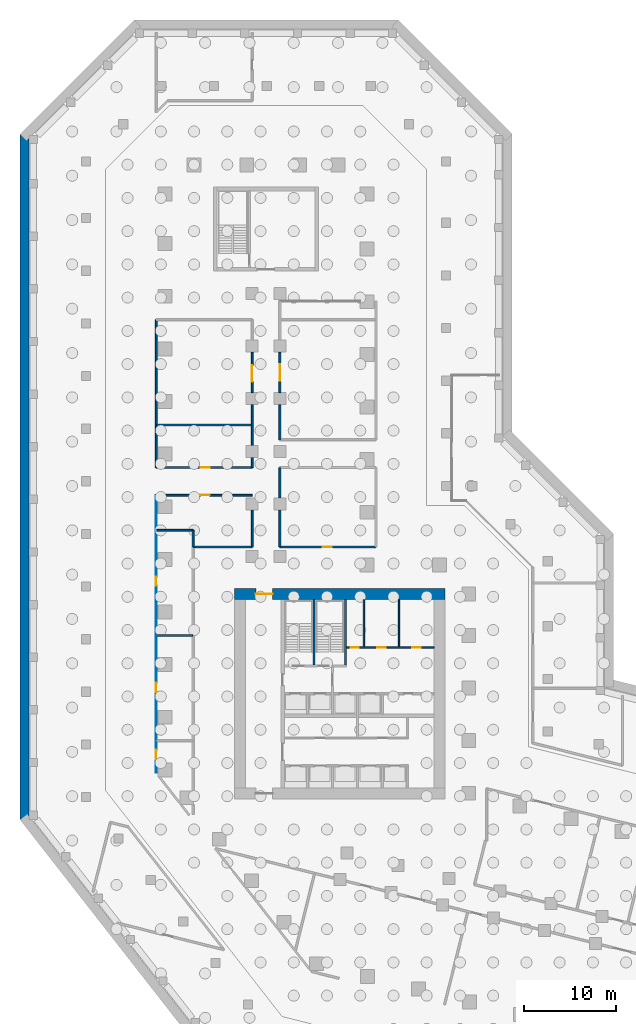
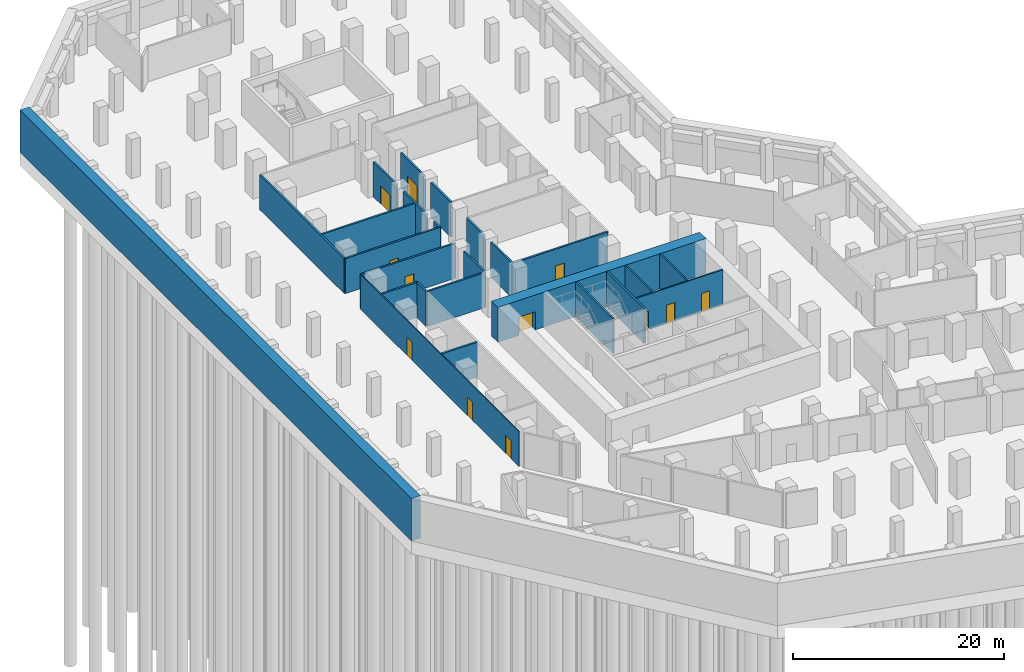
# One storey, part 10 of 15: 25 walls, 12 doors, 12 openings.
"""IFC4 building model written with IfcOpenShell, lengths in metres."""

import ifcopenshell
import ifcopenshell.guid

model = None  # the IFC model being written
_history = None  # IfcOwnerHistory: only IFC2X3 demands one
_inside = {}  # id of a spatial element -> (the spatial element, [elements in it])
_under = {}  # id of a project, library or spatial element -> (it, [spatial elements below it])
_declared = {}  # id of a project -> (the project, [libraries it declares])
_typed = {}  # id of a type object -> (the type object, [elements of that type])
_made_of = {}  # id of a material, layer set ... -> (it, [elements and type objects made of it])


def new_model(schema):
    """Start an empty IFC model of exactly this schema.

    Asked for "IFC4X3", IfcOpenShell would pick the latest addendum, in which some entities
    have other attributes; the version numbers below select the first issue.
    IFC2X3 requires an IfcOwnerHistory on every rooted entity: one is made here for all.
    """
    global model, _history
    if schema == "IFC4X3":
        model = ifcopenshell.file(schema_version=(4, 3, 0, 0))
    else:
        model = ifcopenshell.file(schema=schema)
    _inside.clear()
    _under.clear()
    _declared.clear()
    _typed.clear()
    _made_of.clear()
    _history = None
    if model.schema == "IFC2X3":
        org = make("IfcOrganization", Name="unknown")
        user = make(
            "IfcPersonAndOrganization",
            ThePerson=make("IfcPerson", FamilyName="unknown"),
            TheOrganization=org,
        )
        app = make(
            "IfcApplication",
            ApplicationDeveloper=org,
            Version="unknown",
            ApplicationFullName="unknown",
            ApplicationIdentifier="unknown",
        )
        _history = make(
            "IfcOwnerHistory",
            OwningUser=user,
            OwningApplication=app,
            ChangeAction="ADDED",
            CreationDate=0,
        )
    return model


def make(cls, **values):
    """One entity of the class cls with the attributes given. An attribute that is None is left unset."""
    return model.create_entity(
        cls, **{name: value for name, value in values.items() if value is not None}
    )


def rooted(cls, **values):
    """An entity with a GlobalId (a new one), such as an element, a storey or a relation."""
    return make(cls, GlobalId=ifcopenshell.guid.new(), OwnerHistory=_history, **values)


def si_unit(unit_type, name, prefix=None):
    """IfcSIUnit, for example si_unit("LENGTHUNIT", "METRE", prefix="MILLI")."""
    return make("IfcSIUnit", UnitType=unit_type, Prefix=prefix, Name=name)


def assignment(units):
    """IfcUnitAssignment: the units of a project."""
    return None if units is None else make("IfcUnitAssignment", Units=units)


def point(xyz):
    """IfcCartesianPoint."""
    return None if xyz is None else make("IfcCartesianPoint", Coordinates=xyz)


def direction(xyz):
    """IfcDirection."""
    return None if xyz is None else make("IfcDirection", DirectionRatios=xyz)


def frame(location, z_axis=None, x_axis=None):
    """IfcAxis2Placement3D, a coordinate frame: its origin and axes. An axis left out is left unset."""
    return make(
        "IfcAxis2Placement3D",
        Location=point(location),
        Axis=direction(z_axis),
        RefDirection=direction(x_axis),
    )


def frame_2d(location, x_axis=None):
    """IfcAxis2Placement2D, a coordinate frame in the plane: its origin and x axis."""
    return make(
        "IfcAxis2Placement2D", Location=point(location), RefDirection=direction(x_axis)
    )


def origin():
    """The frame at (0, 0, 0) with its axes left unset."""
    return frame((0.0, 0.0, 0.0))


def place(relative_to, where):
    """IfcLocalPlacement: puts the frame where relative to a parent placement (None: the world)."""
    return make(
        "IfcLocalPlacement", PlacementRelTo=relative_to, RelativePlacement=where
    )


def context(
    kind, dimensions, precision=None, world=None, true_north=None, identifier=None
):
    """IfcGeometricRepresentationContext, for example the 3D "Model" context."""
    return make(
        "IfcGeometricRepresentationContext",
        ContextIdentifier=identifier,
        ContextType=kind,
        CoordinateSpaceDimension=dimensions,
        Precision=precision,
        WorldCoordinateSystem=world,
        TrueNorth=true_north,
    )


def subcontext(parent, identifier, kind, view, scale=None):
    """IfcGeometricRepresentationSubContext, for example "Body" below "Model"."""
    return make(
        "IfcGeometricRepresentationSubContext",
        ContextIdentifier=identifier,
        ContextType=kind,
        ParentContext=parent,
        TargetScale=scale,
        TargetView=view,
    )


def project(units=None, contexts=None):
    """IfcProject with its units and contexts."""
    return rooted(
        "IfcProject",
        Name="project",
        RepresentationContexts=contexts,
        UnitsInContext=assignment(units),
    )


def spatial(cls, under=None, at=None, **own):
    """A site, building, storey or space (cls), placed at a placement, below another one or the project."""
    s = rooted(cls, ObjectPlacement=at, **own)
    if under is not None:
        _under.setdefault(under.id(), (under, []))[1].append(s)
    return s


def profile(cls, at=None, kind="AREA", **sizes):
    """A parametric profile (cls). Its sizes go by their IFC names, for example OverallWidth=200.0."""
    return make(cls, ProfileType=kind, Position=at, **sizes)


def rectangle(**sizes):
    """IfcRectangleProfileDef."""
    return profile("IfcRectangleProfileDef", **sizes)


def extrude(swept, where, along, depth):
    """IfcExtrudedAreaSolid: the profile swept, set in the frame where, extruded along a direction by depth."""
    return make(
        "IfcExtrudedAreaSolid",
        SweptArea=swept,
        Position=where,
        ExtrudedDirection=direction(along),
        Depth=depth,
    )


def shape(context_of_items, identifier, shape_type, items):
    """IfcShapeRepresentation: the items that make up one representation, for example the "Body"."""
    return make(
        "IfcShapeRepresentation",
        ContextOfItems=context_of_items,
        RepresentationIdentifier=identifier,
        RepresentationType=shape_type,
        Items=items,
    )


def material(Name=None, Category=None):
    """IfcMaterial."""
    return make("IfcMaterial", Name=Name, Category=Category)


def layer(
    of_material, thickness, ventilated=None, Name=None, Category=None, Priority=None
):
    """IfcMaterialLayer: one layer of a wall or slab, of a material (None: an air gap)."""
    return make(
        "IfcMaterialLayer",
        Material=of_material,
        LayerThickness=thickness,
        IsVentilated=ventilated,
        Name=Name,
        Category=Category,
        Priority=Priority,
    )


def layer_set(layers, Name=None):
    """IfcMaterialLayerSet."""
    return make("IfcMaterialLayerSet", MaterialLayers=layers, LayerSetName=Name)


def made_of(thing, what):
    """Note that an element or type object is made of a material, layer set ...; save() writes the relation."""
    if what is not None:
        _made_of.setdefault(what.id(), (what, []))[1].append(thing)
    return thing


def type_object(cls, material=None, **own):
    """A type object (cls), such as IfcWallType, which elements share."""
    return made_of(rooted(cls, **own), material)


def element(
    cls,
    number,
    at=None,
    inside=None,
    cuts=None,
    type_object=None,
    material=None,
    context=None,
    identifier="Body",
    shape_type=None,
    held_by="IfcProductDefinitionShape",
    body=None,
    shapes=None,
    **own,
):
    """One element of the class cls, such as IfcWall. Its Tag is "e" and its number.

    at: its placement. inside: the storey or other place that contains it. cuts: it is an
    opening in that element (IfcRelVoidsElement). A single representation is given by context,
    identifier, shape_type and body (its items); several are given by shapes. held_by: the class
    of the entity that holds the representations. save() writes the other relations.
    """
    e = rooted(cls, Tag="e%d" % number, ObjectPlacement=at, **own)
    if body is not None:
        shapes = [shape(context, identifier, shape_type, body)]
    if shapes is not None:
        e.Representation = make(held_by, Representations=shapes)
    if inside is not None:
        _inside.setdefault(inside.id(), (inside, []))[1].append(e)
    if cuts is not None:
        rooted(
            "IfcRelVoidsElement", RelatingBuildingElement=cuts, RelatedOpeningElement=e
        )
    if type_object is not None:
        _typed.setdefault(type_object.id(), (type_object, []))[1].append(e)
    return made_of(e, material)


def fill(opening, filler):
    """IfcRelFillsElement: the door or window that sits in an opening."""
    return rooted(
        "IfcRelFillsElement",
        RelatingOpeningElement=opening,
        RelatedBuildingElement=filler,
    )


def aggregate(whole, parts):
    """IfcRelAggregates: a whole, such as a stair, and the parts it consists of."""
    return rooted("IfcRelAggregates", RelatingObject=whole, RelatedObjects=parts)


def save(model, path):
    """Write the relations noted so far, then the file.

    IfcRelAggregates (storeys below a building ...), IfcRelContainedInSpatialStructure (elements
    in a storey), IfcRelDefinesByType, IfcRelAssociatesMaterial and IfcRelDeclares: one each for
    every whole, place, type object, material and project.
    """
    for whole, parts in _under.values():
        aggregate(whole, parts)
    for where, things in _inside.values():
        rooted(
            "IfcRelContainedInSpatialStructure",
            RelatedElements=things,
            RelatingStructure=where,
        )
    for kind, things in _typed.values():
        rooted("IfcRelDefinesByType", RelatedObjects=things, RelatingType=kind)
    for what, things in _made_of.values():
        rooted("IfcRelAssociatesMaterial", RelatedObjects=things, RelatingMaterial=what)
    for by, libraries in _declared.values():
        rooted("IfcRelDeclares", RelatingContext=by, RelatedDefinitions=libraries)
    model.write(path)


model = new_model("IFC4")

# Units and contexts
model_context = context("Model", 3, precision=1e-05, world=origin(), true_north=direction((0.0, 1.0)))
body_context = subcontext(model_context, "Body", "Model", "MODEL_VIEW")
ifc_project = project(units=[si_unit("LENGTHUNIT", "METRE"), si_unit("AREAUNIT", "SQUARE_METRE"), si_unit("VOLUMEUNIT", "CUBIC_METRE"), si_unit("PLANEANGLEUNIT", "RADIAN"), si_unit("MASSUNIT", "GRAM", prefix="KILO")], contexts=[model_context])

# Site, building, storey
site_placement = place(None, origin())
site = spatial("IfcSite", under=ifc_project, at=site_placement, CompositionType="ELEMENT")
building_placement = place(site_placement, origin())
building = spatial("IfcBuilding", under=site, at=building_placement, Name="Meshkara Civic Tower", CompositionType="ELEMENT")
storey_placement = place(building_placement, frame((0.0, 0.0, -9.0)))
storey = spatial("IfcBuildingStorey", under=building, at=storey_placement, Name="B2", CompositionType="ELEMENT", Elevation=-9.0)

# Wall, openings, doors
ifc_material_1 = material(Name="Blockwork", Category="masonry")
ifc_layer_1 = layer(ifc_material_1, 0.14990234375)
ifc_layer_set_1 = layer_set([ifc_layer_1], Name="Core partition 150")
wall_type_1 = type_object("IfcWallType", Name="Core partition 150", PredefinedType="PARTITIONING", material=ifc_layer_set_1)
wall_1_placement = place(storey_placement, frame((20.10009765625, 30.5, 0.0), z_axis=(0.0, 0.0, 1.0), x_axis=(1.0, 0.0, 0.0)))
wall_1 = element("IfcWall", 1, at=wall_1_placement, inside=storey, type_object=wall_type_1, Name="B2-C010", PredefinedType="PARTITIONING", context=body_context, shape_type="SweptSolid", body=[
    extrude(rectangle(XDim=9.5, YDim=0.14990234375, at=frame_2d((4.75, 0.0))), origin(), (0.0, 0.0, 1.0), 4.050048828125),
])
opening_1_placement = place(wall_1_placement, frame((0.449951171875, 0.0, 0.0)))
opening_1 = element("IfcOpeningElement", 2, at=opening_1_placement, cuts=wall_1, Name="Opening B2-K013", PredefinedType="OPENING", context=body_context, shape_type="SweptSolid", body=[
    extrude(rectangle(XDim=0.89990234375, YDim=2.10009765625, at=frame_2d((0.449951171875, 1.050048828125))), frame((0.0, 0.0849609375, 0.0), z_axis=(0.0, -1.0, 0.0), x_axis=(1.0, 0.0, 0.0)), (0.0, 0.0, 1.0), 0.169921875),
])
opening_2_placement = place(wall_1_placement, frame((3.35009765625, 0.0, 0.0)))
opening_2 = element("IfcOpeningElement", 3, at=opening_2_placement, cuts=wall_1, Name="Opening B2-K014", PredefinedType="OPENING", context=body_context, shape_type="SweptSolid", body=[
    extrude(rectangle(XDim=0.89990234375, YDim=2.10009765625, at=frame_2d((0.449951171875, 1.050048828125))), frame((0.0, 0.0849609375, 0.0), z_axis=(0.0, -1.0, 0.0), x_axis=(1.0, 0.0, 0.0)), (0.0, 0.0, 1.0), 0.169921875),
])
opening_3_placement = place(wall_1_placement, frame((7.14990234375, 0.0, 0.0)))
opening_3 = element("IfcOpeningElement", 4, at=opening_3_placement, cuts=wall_1, Name="Opening B2-K015", PredefinedType="OPENING", context=body_context, shape_type="SweptSolid", body=[
    extrude(rectangle(XDim=0.89990234375, YDim=2.10009765625, at=frame_2d((0.449951171875, 1.050048828125))), frame((0.0, 0.0849609375, 0.0), z_axis=(0.0, -1.0, 0.0), x_axis=(1.0, 0.0, 0.0)), (0.0, 0.0, 1.0), 0.169921875),
])
ifc_material_2 = material(Name="Timber door leaf in steel frame", Category="steel")
door_type_1 = type_object("IfcDoorType", Name="Core room door 900", OperationType="SINGLE_SWING_LEFT", PredefinedType="DOOR", material=ifc_material_2)
door_1_placement = place(opening_2_placement, origin())
door_1 = element("IfcDoor", 5, at=door_1_placement, inside=storey, type_object=door_type_1, Name="B2-K014", OperationType="SINGLE_SWING_RIGHT", OverallHeight=2.10009765625, OverallWidth=0.89990234375, PredefinedType="DOOR", context=body_context, shape_type="SweptSolid", body=[
    extrude(rectangle(XDim=0.89990234375, YDim=2.10009765625, at=frame_2d((0.449951171875, 1.050048828125))), frame((0.0, 0.02490234375, 0.0), z_axis=(0.0, -1.0, 0.0), x_axis=(1.0, 0.0, 0.0)), (0.0, 0.0, 1.0), 0.050048828125),
])
fill(opening_2, door_1)
ifc_material_3 = material(Name="Fire-rated door leaf in steel frame", Category="steel")
door_type_2 = type_object("IfcDoorType", Name="Riser door 900", OperationType="SINGLE_SWING_LEFT", PredefinedType="DOOR", material=ifc_material_3)
door_2_placement = place(opening_1_placement, origin())
door_2 = element("IfcDoor", 6, at=door_2_placement, inside=storey, type_object=door_type_2, Name="B2-K013", OperationType="SINGLE_SWING_RIGHT", OverallHeight=2.10009765625, OverallWidth=0.89990234375, PredefinedType="DOOR", context=body_context, shape_type="SweptSolid", body=[
    extrude(rectangle(XDim=0.89990234375, YDim=2.10009765625, at=frame_2d((0.449951171875, 1.050048828125))), frame((0.0, 0.02490234375, 0.0), z_axis=(0.0, -1.0, 0.0), x_axis=(1.0, 0.0, 0.0)), (0.0, 0.0, 1.0), 0.050048828125),
])
fill(opening_1, door_2)
ifc_material_4 = material(Name="Timber door leaf in steel frame", Category="steel")
door_type_3 = type_object("IfcDoorType", Name="WC door 900", OperationType="SINGLE_SWING_LEFT", PredefinedType="DOOR", material=ifc_material_4)
door_3_placement = place(opening_3_placement, origin())
door_3 = element("IfcDoor", 7, at=door_3_placement, inside=storey, type_object=door_type_3, Name="B2-K015", OperationType="SINGLE_SWING_LEFT", OverallHeight=2.10009765625, OverallWidth=0.89990234375, PredefinedType="DOOR", context=body_context, shape_type="SweptSolid", body=[
    extrude(rectangle(XDim=0.89990234375, YDim=2.10009765625, at=frame_2d((0.449951171875, 1.050048828125))), frame((0.0, 0.02490234375, 0.0), z_axis=(0.0, -1.0, 0.0), x_axis=(1.0, 0.0, 0.0)), (0.0, 0.0, 1.0), 0.050048828125),
])
fill(opening_3, door_3)

# Walls
for number, where, z_axis, x_axis, name in (
    (8, (22.0, 30.574951171875, 0.0), (0.0, 0.0, 1.0), (0.0, 1.0, 0.0), "B2-C020"),
    (9, (25.800048828125, 30.574951171875, 0.0), (0.0, 0.0, 1.0), (0.0, 1.0, 0.0), "B2-C023"),
):
    element("IfcWall", number, at=place(storey_placement, frame(where, z_axis=z_axis, x_axis=x_axis)), inside=storey, type_object=wall_type_1, Name=name, PredefinedType="PARTITIONING", context=body_context, shape_type="SweptSolid", body=[
        extrude(rectangle(XDim=5.125, YDim=0.14990234375, at=frame_2d((2.5625, 0.0))), origin(), (0.0, 0.0, 1.0), 4.050048828125),
    ])

# Wall, opening, door
ifc_material_5 = material(Name="Concrete C80", Category="concrete")
ifc_layer_2 = layer(ifc_material_5, 1.199951171875)
ifc_layer_set_2 = layer_set([ifc_layer_2], Name="Core ring wall 1200 C80")
wall_type_2 = type_object("IfcWallType", Name="Core ring wall 1200 C80", PredefinedType="SHEAR", material=ifc_layer_set_2)
wall_2_placement = place(storey_placement, frame((8.0, 36.300048828125, 0.0), z_axis=(0.0, 0.0, 1.0), x_axis=(1.0, 0.0, 0.0)))
wall_2 = element("IfcWall", 10, at=wall_2_placement, inside=storey, type_object=wall_type_2, Name="B2-C002", PredefinedType="SHEAR", context=body_context, shape_type="SweptSolid", body=[
    extrude(rectangle(XDim=22.800048828125, YDim=1.199951171875, at=frame_2d((11.39990234375, 0.0))), origin(), (0.0, 0.0, 1.0), 4.050048828125),
])
opening_4_placement = place(wall_2_placement, frame((2.300048828125, 0.0, 0.0)))
opening_4 = element("IfcOpeningElement", 11, at=opening_4_placement, cuts=wall_2, Name="Opening B2-K021", PredefinedType="OPENING", context=body_context, shape_type="SweptSolid", body=[
    extrude(rectangle(XDim=1.800048828125, YDim=2.10009765625, at=frame_2d((0.89990234375, 1.050048828125))), frame((0.0, 0.60986328125, 0.0), z_axis=(0.0, -1.0, 0.0), x_axis=(1.0, 0.0, 0.0)), (0.0, 0.0, 1.0), 1.219970703125),
])
ifc_material_6 = material(Name="Fire-rated door leaf in steel frame", Category="steel")
door_type_4 = type_object("IfcDoorType", Name="Core double door 1800 EI 60", OperationType="DOUBLE_DOOR_SINGLE_SWING", PredefinedType="DOOR", material=ifc_material_6)
door_4_placement = place(opening_4_placement, origin())
door_4 = element("IfcDoor", 12, at=door_4_placement, inside=storey, type_object=door_type_4, Name="B2-K021", OperationType="DOUBLE_DOOR_SINGLE_SWING", OverallHeight=2.10009765625, OverallWidth=1.800048828125, PredefinedType="DOOR", context=body_context, shape_type="SweptSolid", body=[
    extrude(rectangle(XDim=1.800048828125, YDim=2.10009765625, at=frame_2d((0.89990234375, 1.050048828125))), frame((0.0, 0.02490234375, 0.0), z_axis=(0.0, -1.0, 0.0), x_axis=(1.0, 0.0, 0.0)), (0.0, 0.0, 1.0), 0.050048828125),
])
fill(opening_4, door_4)

# Wall, openings, doors
ifc_material_7 = material(Name="Corridor wall 100")
ifc_layer_3 = layer(ifc_material_7, 0.10009765625)
ifc_layer_set_3 = layer_set([ifc_layer_3], Name="Corridor wall 100")
wall_type_3 = type_object("IfcWallType", Name="Corridor wall 100", PredefinedType="PARTITIONING", material=ifc_layer_set_3)
wall_3_placement = place(storey_placement, frame((-0.5, 16.927978515625, 0.0), z_axis=(0.0, 0.0, 1.0), x_axis=(0.0, 1.0, 0.0)))
wall_3 = element("IfcWall", 13, at=wall_3_placement, inside=storey, type_object=wall_type_3, Name="B2-R004", PredefinedType="PARTITIONING", context=body_context, shape_type="SweptSolid", body=[
    extrude(rectangle(XDim=30.072021484375, YDim=0.10009765625, at=frame_2d((15.0361328125, 0.0))), origin(), (0.0, 0.0, 1.0), 4.050048828125),
])
opening_5_placement = place(wall_3_placement, frame((1.47998046875, 0.0, 0.0)))
opening_5 = element("IfcOpeningElement", 14, at=opening_5_placement, cuts=wall_3, Name="Opening B2-P016", PredefinedType="OPENING", context=body_context, shape_type="SweptSolid", body=[
    extrude(rectangle(XDim=1.0, YDim=2.10009765625, at=frame_2d((0.5, 1.050048828125))), frame((0.0, 0.06005859375, 0.0), z_axis=(0.0, -1.0, 0.0), x_axis=(1.0, 0.0, 0.0)), (0.0, 0.0, 1.0), 0.1201171875),
])
opening_6_placement = place(wall_3_placement, frame((8.751953125, 0.0, 0.0)))
opening_6 = element("IfcOpeningElement", 15, at=opening_6_placement, cuts=wall_3, Name="Opening B2-P018", PredefinedType="OPENING", context=body_context, shape_type="SweptSolid", body=[
    extrude(rectangle(XDim=1.0, YDim=2.10009765625, at=frame_2d((0.5, 1.050048828125))), frame((0.0, 0.06005859375, 0.0), z_axis=(0.0, -1.0, 0.0), x_axis=(1.0, 0.0, 0.0)), (0.0, 0.0, 1.0), 0.1201171875),
])
opening_7_placement = place(wall_3_placement, frame((20.251953125, 0.0, 0.0)))
opening_7 = element("IfcOpeningElement", 16, at=opening_7_placement, cuts=wall_3, Name="Opening B2-P020", PredefinedType="OPENING", context=body_context, shape_type="SweptSolid", body=[
    extrude(rectangle(XDim=1.0, YDim=2.10009765625, at=frame_2d((0.5, 1.050048828125))), frame((0.0, 0.06005859375, 0.0), z_axis=(0.0, -1.0, 0.0), x_axis=(1.0, 0.0, 0.0)), (0.0, 0.0, 1.0), 0.1201171875),
])
ifc_material_8 = material(Name="Door 1000 x 2100")
door_type_5 = type_object("IfcDoorType", Name="Door 1000 x 2100", OperationType="SINGLE_SWING_LEFT", PredefinedType="DOOR", material=ifc_material_8)
door_5_placement = place(opening_5_placement, origin())
door_5 = element("IfcDoor", 17, at=door_5_placement, inside=storey, type_object=door_type_5, Name="B2-P016", OperationType="SINGLE_SWING_LEFT", OverallHeight=2.10009765625, OverallWidth=1.0, PredefinedType="DOOR", context=body_context, shape_type="SweptSolid", body=[
    extrude(rectangle(XDim=1.0, YDim=2.10009765625, at=frame_2d((0.5, 1.050048828125))), frame((0.0, 0.02490234375, 0.0), z_axis=(0.0, -1.0, 0.0), x_axis=(1.0, 0.0, 0.0)), (0.0, 0.0, 1.0), 0.050048828125),
])
fill(opening_5, door_5)
door_6_placement = place(opening_6_placement, origin())
door_6 = element("IfcDoor", 18, at=door_6_placement, inside=storey, type_object=door_type_5, Name="B2-P018", OperationType="SINGLE_SWING_RIGHT", OverallHeight=2.10009765625, OverallWidth=1.0, PredefinedType="DOOR", context=body_context, shape_type="SweptSolid", body=[
    extrude(rectangle(XDim=1.0, YDim=2.10009765625, at=frame_2d((0.5, 1.050048828125))), frame((0.0, 0.02490234375, 0.0), z_axis=(0.0, -1.0, 0.0), x_axis=(1.0, 0.0, 0.0)), (0.0, 0.0, 1.0), 0.050048828125),
])
fill(opening_6, door_6)
door_7_placement = place(opening_7_placement, origin())
door_7 = element("IfcDoor", 19, at=door_7_placement, inside=storey, type_object=door_type_5, Name="B2-P020", OperationType="SINGLE_SWING_LEFT", OverallHeight=2.10009765625, OverallWidth=1.0, PredefinedType="DOOR", context=body_context, shape_type="SweptSolid", body=[
    extrude(rectangle(XDim=1.0, YDim=2.10009765625, at=frame_2d((0.5, 1.050048828125))), frame((0.0, 0.02490234375, 0.0), z_axis=(0.0, -1.0, 0.0), x_axis=(1.0, 0.0, 0.0)), (0.0, 0.0, 1.0), 0.050048828125),
])
fill(opening_7, door_7)

# Wall
ifc_material_9 = material(Name="Concrete C50", Category="concrete")
ifc_layer_4 = layer(ifc_material_9, 1.0)
ifc_layer_set_4 = layer_set([ifc_layer_4], Name="Diaphragm wall 1000 C50")
wall_type_4 = type_object("IfcWallType", Name="Diaphragm wall 1000 C50", PredefinedType="SOLIDWALL", material=ifc_layer_set_4)
wall_4_placement = place(storey_placement, frame((-14.75, 11.8486328125, -0.39990234375), z_axis=(0.0, 0.0, 1.0), x_axis=(0.0, 1.0, 0.0)))
element("IfcWall", 20, at=wall_4_placement, inside=storey, type_object=wall_type_4, Name="Basement perimeter wall", PredefinedType="SOLIDWALL", context=body_context, shape_type="SweptSolid", body=[
    extrude(rectangle(XDim=74.2685546875, YDim=1.0, at=frame_2d((37.13427734375, 0.0))), origin(), (0.0, 0.0, 1.0), 4.89990234375),
])

# Wall, opening, door
ifc_material_10 = material(Name="Fire-rated wall 200")
ifc_layer_5 = layer(ifc_material_10, 0.199951171875)
ifc_layer_set_5 = layer_set([ifc_layer_5], Name="Fire-rated wall 200")
wall_type_5 = type_object("IfcWallType", Name="Fire-rated wall 200", PredefinedType="PARTITIONING", material=ifc_layer_set_5)
wall_5_placement = place(storey_placement, frame((-0.5, 47.0, 0.0), z_axis=(0.0, 0.0, 1.0), x_axis=(1.0, 0.0, 0.0)))
wall_5 = element("IfcWall", 21, at=wall_5_placement, inside=storey, type_object=wall_type_5, Name="B2-R005", PredefinedType="PARTITIONING", context=body_context, shape_type="SweptSolid", body=[
    extrude(rectangle(XDim=10.39990234375, YDim=0.199951171875, at=frame_2d((5.199951171875, 0.0))), origin(), (0.0, 0.0, 1.0), 4.050048828125),
])
opening_8_placement = place(wall_5_placement, frame((4.780029296875, 0.0, 0.0)))
opening_8 = element("IfcOpeningElement", 22, at=opening_8_placement, cuts=wall_5, Name="Opening B2-P022", PredefinedType="OPENING", context=body_context, shape_type="SweptSolid", body=[
    extrude(rectangle(XDim=1.0, YDim=2.10009765625, at=frame_2d((0.5, 1.050048828125))), frame((0.0, 0.10986328125, 0.0), z_axis=(0.0, -1.0, 0.0), x_axis=(1.0, 0.0, 0.0)), (0.0, 0.0, 1.0), 0.219970703125),
])
door_8_placement = place(opening_8_placement, origin())
door_8 = element("IfcDoor", 23, at=door_8_placement, inside=storey, type_object=door_type_5, Name="B2-P022", OperationType="SINGLE_SWING_LEFT", OverallHeight=2.10009765625, OverallWidth=1.0, PredefinedType="DOOR", context=body_context, shape_type="SweptSolid", body=[
    extrude(rectangle(XDim=1.0, YDim=2.10009765625, at=frame_2d((0.5, 1.050048828125))), frame((0.0, 0.02490234375, 0.0), z_axis=(0.0, -1.0, 0.0), x_axis=(1.0, 0.0, 0.0)), (0.0, 0.0, 1.0), 0.050048828125),
])
fill(opening_8, door_8)

# Walls
wall_6_placement = place(storey_placement, frame((-0.5, 66.0, 0.0), z_axis=(0.0, 0.0, 1.0), x_axis=(0.0, -1.0, 0.0)))
element("IfcWall", 24, at=wall_6_placement, inside=storey, type_object=wall_type_5, Name="B2-R006", PredefinedType="PARTITIONING", context=body_context, shape_type="SweptSolid", body=[
    extrude(rectangle(XDim=16.0, YDim=0.199951171875, at=frame_2d((8.0, 0.0))), origin(), (0.0, 0.0, 1.0), 4.050048828125),
])
wall_7_placement = place(storey_placement, frame((9.89990234375, 41.39990234375, 0.0), z_axis=(0.0, 0.0, 1.0), x_axis=(-1.0, 0.0, 0.0)))
element("IfcWall", 25, at=wall_7_placement, inside=storey, type_object=wall_type_5, Name="B2-R017", PredefinedType="PARTITIONING", context=body_context, shape_type="SweptSolid", body=[
    extrude(rectangle(XDim=6.39990234375, YDim=0.199951171875, at=frame_2d((3.199951171875, 0.0))), origin(), (0.0, 0.0, 1.0), 4.050048828125),
])
wall_8_placement = place(storey_placement, frame((9.89990234375, 45.3798828125, 0.0), z_axis=(0.0, 0.0, 1.0), x_axis=(0.0, -1.0, 0.0)))
element("IfcWall", 26, at=wall_8_placement, inside=storey, type_object=wall_type_5, Name="B2-R018", PredefinedType="PARTITIONING", context=body_context, shape_type="SweptSolid", body=[
    extrude(rectangle(XDim=3.97998046875, YDim=0.199951171875, at=frame_2d((1.989990234375, 0.0))), origin(), (0.0, 0.0, 1.0), 4.050048828125),
])

# Wall, opening, door
wall_9_placement = place(storey_placement, frame((9.89990234375, 50.0, 0.0), z_axis=(0.0, 0.0, 1.0), x_axis=(-1.0, 0.0, 0.0)))
wall_9 = element("IfcWall", 27, at=wall_9_placement, inside=storey, type_object=wall_type_5, Name="B2-R019", PredefinedType="PARTITIONING", context=body_context, shape_type="SweptSolid", body=[
    extrude(rectangle(XDim=10.39990234375, YDim=0.199951171875, at=frame_2d((5.199951171875, 0.0))), origin(), (0.0, 0.0, 1.0), 4.050048828125),
])
opening_9_placement = place(wall_9_placement, frame((4.580078125, 0.0, 0.0)))
opening_9 = element("IfcOpeningElement", 28, at=opening_9_placement, cuts=wall_9, Name="Opening B2-P023", PredefinedType="OPENING", context=body_context, shape_type="SweptSolid", body=[
    extrude(rectangle(XDim=1.0, YDim=2.10009765625, at=frame_2d((0.5, 1.050048828125))), frame((0.0, 0.10986328125, 0.0), z_axis=(0.0, -1.0, 0.0), x_axis=(1.0, 0.0, 0.0)), (0.0, 0.0, 1.0), 0.219970703125),
])
door_9_placement = place(opening_9_placement, origin())
door_9 = element("IfcDoor", 29, at=door_9_placement, inside=storey, type_object=door_type_5, Name="B2-P023", OperationType="SINGLE_SWING_LEFT", OverallHeight=2.10009765625, OverallWidth=1.0, PredefinedType="DOOR", context=body_context, shape_type="SweptSolid", body=[
    extrude(rectangle(XDim=1.0, YDim=2.10009765625, at=frame_2d((0.5, 1.050048828125))), frame((0.0, 0.02490234375, 0.0), z_axis=(0.0, -1.0, 0.0), x_axis=(1.0, 0.0, 0.0)), (0.0, 0.0, 1.0), 0.050048828125),
])
fill(opening_9, door_9)

# Walls
wall_10_placement = place(storey_placement, frame((9.89990234375, 51.080078125, 0.0), z_axis=(0.0, 0.0, 1.0), x_axis=(0.0, -1.0, 0.0)))
element("IfcWall", 30, at=wall_10_placement, inside=storey, type_object=wall_type_5, Name="B2-R020", PredefinedType="PARTITIONING", context=body_context, shape_type="SweptSolid", body=[
    extrude(rectangle(XDim=1.080078125, YDim=0.199951171875, at=frame_2d((0.5400390625, 0.0))), origin(), (0.0, 0.0, 1.0), 4.050048828125),
])
wall_11_placement = place(storey_placement, frame((9.89990234375, 56.780029296875, 0.0), z_axis=(0.0, 0.0, 1.0), x_axis=(0.0, -1.0, 0.0)))
element("IfcWall", 31, at=wall_11_placement, inside=storey, type_object=wall_type_5, Name="B2-R021", PredefinedType="PARTITIONING", context=body_context, shape_type="SweptSolid", body=[
    extrude(rectangle(XDim=4.360107421875, YDim=0.199951171875, at=frame_2d((2.18017578125, 0.0))), origin(), (0.0, 0.0, 1.0), 4.050048828125),
])

# Wall, opening, door
wall_12_placement = place(storey_placement, frame((9.89990234375, 62.47998046875, 0.0), z_axis=(0.0, 0.0, 1.0), x_axis=(0.0, -1.0, 0.0)))
wall_12 = element("IfcWall", 32, at=wall_12_placement, inside=storey, type_object=wall_type_5, Name="B2-R022", PredefinedType="PARTITIONING", context=body_context, shape_type="SweptSolid", body=[
    extrude(rectangle(XDim=4.35986328125, YDim=0.199951171875, at=frame_2d((2.179931640625, 0.0))), origin(), (0.0, 0.0, 1.0), 4.050048828125),
])
opening_10_placement = place(wall_12_placement, frame((1.3798828125, 0.0, 0.0)))
opening_10 = element("IfcOpeningElement", 33, at=opening_10_placement, cuts=wall_12, Name="Opening B2-P025", PredefinedType="OPENING", context=body_context, shape_type="SweptSolid", body=[
    extrude(rectangle(XDim=1.800048828125, YDim=2.10009765625, at=frame_2d((0.89990234375, 1.050048828125))), frame((0.0, 0.10986328125, 0.0), z_axis=(0.0, -1.0, 0.0), x_axis=(1.0, 0.0, 0.0)), (0.0, 0.0, 1.0), 0.219970703125),
])
ifc_material_11 = material(Name="Door pair 1800 x 2100")
door_type_6 = type_object("IfcDoorType", Name="Door pair 1800 x 2100", OperationType="SINGLE_SWING_LEFT", PredefinedType="DOOR", material=ifc_material_11)
door_10_placement = place(opening_10_placement, origin())
door_10 = element("IfcDoor", 34, at=door_10_placement, inside=storey, type_object=door_type_6, Name="B2-P025", OperationType="DOUBLE_DOOR_SINGLE_SWING", OverallHeight=2.10009765625, OverallWidth=1.800048828125, PredefinedType="DOOR", context=body_context, shape_type="SweptSolid", body=[
    extrude(rectangle(XDim=1.800048828125, YDim=2.10009765625, at=frame_2d((0.89990234375, 1.050048828125))), frame((0.0, 0.02490234375, 0.0), z_axis=(0.0, -1.0, 0.0), x_axis=(1.0, 0.0, 0.0)), (0.0, 0.0, 1.0), 0.050048828125),
])
fill(opening_10, door_10)

# Walls
wall_13_placement = place(storey_placement, frame((12.89990234375, 41.39990234375, 0.0), z_axis=(0.0, 0.0, 1.0), x_axis=(0.0, 1.0, 0.0)))
element("IfcWall", 35, at=wall_13_placement, inside=storey, type_object=wall_type_5, Name="B2-R028", PredefinedType="PARTITIONING", context=body_context, shape_type="SweptSolid", body=[
    extrude(rectangle(XDim=3.97998046875, YDim=0.199951171875, at=frame_2d((1.989990234375, 0.0))), origin(), (0.0, 0.0, 1.0), 4.050048828125),
])
wall_14_placement = place(storey_placement, frame((12.89990234375, 46.719970703125, 0.0), z_axis=(0.0, 0.0, 1.0), x_axis=(0.0, 1.0, 0.0)))
element("IfcWall", 36, at=wall_14_placement, inside=storey, type_object=wall_type_5, Name="B2-R029", PredefinedType="PARTITIONING", context=body_context, shape_type="SweptSolid", body=[
    extrude(rectangle(XDim=3.280029296875, YDim=0.199951171875, at=frame_2d((1.64013671875, 0.0))), origin(), (0.0, 0.0, 1.0), 4.050048828125),
])
wall_15_placement = place(storey_placement, frame((12.89990234375, 53.0, 0.0), z_axis=(0.0, 0.0, 1.0), x_axis=(0.0, 1.0, 0.0)))
element("IfcWall", 37, at=wall_15_placement, inside=storey, type_object=wall_type_5, Name="B2-R031", PredefinedType="PARTITIONING", context=body_context, shape_type="SweptSolid", body=[
    extrude(rectangle(XDim=3.780029296875, YDim=0.199951171875, at=frame_2d((1.89013671875, 0.0))), origin(), (0.0, 0.0, 1.0), 4.050048828125),
])

# Wall, opening, door
wall_16_placement = place(storey_placement, frame((12.89990234375, 58.1201171875, 0.0), z_axis=(0.0, 0.0, 1.0), x_axis=(0.0, 1.0, 0.0)))
wall_16 = element("IfcWall", 38, at=wall_16_placement, inside=storey, type_object=wall_type_5, Name="B2-R032", PredefinedType="PARTITIONING", context=body_context, shape_type="SweptSolid", body=[
    extrude(rectangle(XDim=4.35986328125, YDim=0.199951171875, at=frame_2d((2.179931640625, 0.0))), origin(), (0.0, 0.0, 1.0), 4.050048828125),
])
opening_11_placement = place(wall_16_placement, frame((1.280029296875, 0.0, 0.0)))
opening_11 = element("IfcOpeningElement", 39, at=opening_11_placement, cuts=wall_16, Name="Opening B2-P026", PredefinedType="OPENING", context=body_context, shape_type="SweptSolid", body=[
    extrude(rectangle(XDim=1.800048828125, YDim=2.10009765625, at=frame_2d((0.89990234375, 1.050048828125))), frame((0.0, 0.10986328125, 0.0), z_axis=(0.0, -1.0, 0.0), x_axis=(1.0, 0.0, 0.0)), (0.0, 0.0, 1.0), 0.219970703125),
])
door_11_placement = place(opening_11_placement, origin())
door_11 = element("IfcDoor", 40, at=door_11_placement, inside=storey, type_object=door_type_6, Name="B2-P026", OperationType="DOUBLE_DOOR_SINGLE_SWING", OverallHeight=2.10009765625, OverallWidth=1.800048828125, PredefinedType="DOOR", context=body_context, shape_type="SweptSolid", body=[
    extrude(rectangle(XDim=1.800048828125, YDim=2.10009765625, at=frame_2d((0.89990234375, 1.050048828125))), frame((0.0, 0.02490234375, 0.0), z_axis=(0.0, -1.0, 0.0), x_axis=(1.0, 0.0, 0.0)), (0.0, 0.0, 1.0), 0.050048828125),
])
fill(opening_11, door_11)

wall_17_placement = place(storey_placement, frame((23.300048828125, 41.39990234375, 0.0), z_axis=(0.0, 0.0, 1.0), x_axis=(-1.0, 0.0, 0.0)))
wall_17 = element("IfcWall", 41, at=wall_17_placement, inside=storey, type_object=wall_type_5, Name="B2-R037", PredefinedType="PARTITIONING", context=body_context, shape_type="SweptSolid", body=[
    extrude(rectangle(XDim=10.400146484375, YDim=0.199951171875, at=frame_2d((5.2001953125, 0.0))), origin(), (0.0, 0.0, 1.0), 4.050048828125),
])
opening_12_placement = place(wall_17_placement, frame((4.780029296875, 0.0, 0.0)))
opening_12 = element("IfcOpeningElement", 42, at=opening_12_placement, cuts=wall_17, Name="Opening B2-P021", PredefinedType="OPENING", context=body_context, shape_type="SweptSolid", body=[
    extrude(rectangle(XDim=1.0, YDim=2.10009765625, at=frame_2d((0.5, 1.050048828125))), frame((0.0, 0.10986328125, 0.0), z_axis=(0.0, -1.0, 0.0), x_axis=(1.0, 0.0, 0.0)), (0.0, 0.0, 1.0), 0.219970703125),
])
door_12_placement = place(opening_12_placement, origin())
door_12 = element("IfcDoor", 43, at=door_12_placement, inside=storey, type_object=door_type_5, Name="B2-P021", OperationType="SINGLE_SWING_LEFT", OverallHeight=2.10009765625, OverallWidth=1.0, PredefinedType="DOOR", context=body_context, shape_type="SweptSolid", body=[
    extrude(rectangle(XDim=1.0, YDim=2.10009765625, at=frame_2d((0.5, 1.050048828125))), frame((0.0, 0.02490234375, 0.0), z_axis=(0.0, -1.0, 0.0), x_axis=(1.0, 0.0, 0.0)), (0.0, 0.0, 1.0), 0.050048828125),
])
fill(opening_12, door_12)

# Walls
wall_18_placement = place(storey_placement, frame((-0.449951171875, 43.199951171875, 0.0), z_axis=(0.0, 0.0, 1.0), x_axis=(1.0, 0.0, 0.0)))
element("IfcWall", 44, at=wall_18_placement, inside=storey, type_object=wall_type_5, Name="B2-R075", PredefinedType="PARTITIONING", context=body_context, shape_type="SweptSolid", body=[
    extrude(rectangle(XDim=3.949951171875, YDim=0.199951171875, at=frame_2d((1.97509765625, 0.0))), origin(), (0.0, 0.0, 1.0), 4.050048828125),
])
wall_19_placement = place(storey_placement, frame((3.449951171875, 31.800048828125, 0.0), z_axis=(0.0, 0.0, 1.0), x_axis=(-1.0, 0.0, 0.0)))
element("IfcWall", 45, at=wall_19_placement, inside=storey, type_object=wall_type_5, Name="B2-R077", PredefinedType="PARTITIONING", context=body_context, shape_type="SweptSolid", body=[
    extrude(rectangle(XDim=3.89990234375, YDim=0.199951171875, at=frame_2d((1.949951171875, 0.0))), origin(), (0.0, 0.0, 1.0), 4.050048828125),
])
wall_20_placement = place(storey_placement, frame((3.5, 43.199951171875, 0.0), z_axis=(0.0, 0.0, 1.0), x_axis=(0.0, -1.0, 0.0)))
element("IfcWall", 46, at=wall_20_placement, inside=storey, type_object=wall_type_5, Name="B2-R078", PredefinedType="PARTITIONING", context=body_context, shape_type="SweptSolid", body=[
    extrude(rectangle(XDim=1.803955078125, YDim=0.199951171875, at=frame_2d((0.90185546875, 0.0))), origin(), (0.0, 0.0, 1.0), 4.050048828125),
])
wall_21_placement = place(storey_placement, frame((9.85009765625, 54.60009765625, 0.0), z_axis=(0.0, 0.0, 1.0), x_axis=(-1.0, 0.0, 0.0)))
element("IfcWall", 47, at=wall_21_placement, inside=storey, type_object=wall_type_5, Name="B2-R079", PredefinedType="PARTITIONING", context=body_context, shape_type="SweptSolid", body=[
    extrude(rectangle(XDim=10.300048828125, YDim=0.199951171875, at=frame_2d((5.14990234375, 0.0))), origin(), (0.0, 0.0, 1.0), 4.050048828125),
])
ifc_material_12 = material(Name="Concrete C40/50", Category="concrete")
ifc_layer_6 = layer(ifc_material_12, 0.199951171875)
ifc_layer_set_6 = layer_set([ifc_layer_6], Name="Stair enclosure wall 200 C40/50")
wall_type_6 = type_object("IfcWallType", Name="Stair enclosure wall 200 C40/50", PredefinedType="SOLIDWALL", material=ifc_layer_set_6)
for number, where, z_axis, x_axis, name in (
    (48, (16.60009765625, 28.60009765625, 0.0), (0.0, 0.0, 1.0), (0.0, 1.0, 0.0), "B2-C014"),
    (49, (20.0, 28.60009765625, 0.0), (0.0, 0.0, 1.0), (0.0, 1.0, 0.0), "B2-C017"),
):
    element("IfcWall", number, at=place(storey_placement, frame(where, z_axis=z_axis, x_axis=x_axis)), inside=storey, type_object=wall_type_6, Name=name, PredefinedType="SOLIDWALL", context=body_context, shape_type="SweptSolid", body=[
        extrude(rectangle(XDim=7.099853515625, YDim=0.199951171875, at=frame_2d((3.5498046875, 0.0))), origin(), (0.0, 0.0, 1.0), 4.050048828125),
    ])

save(model, "model.ifc")
